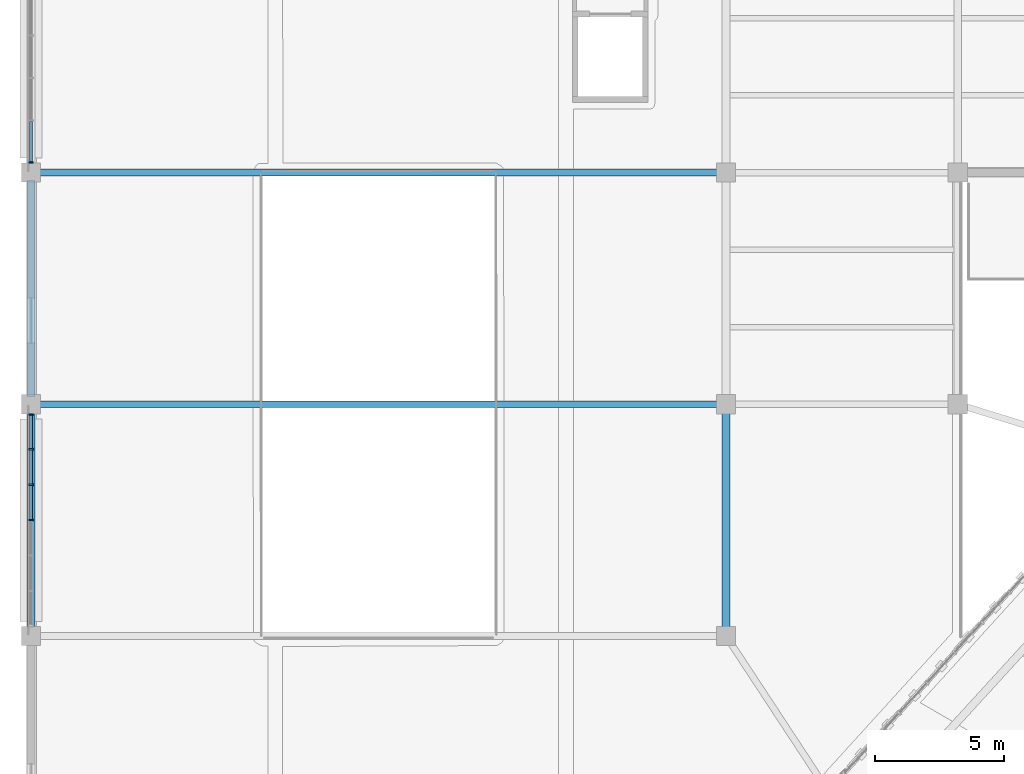
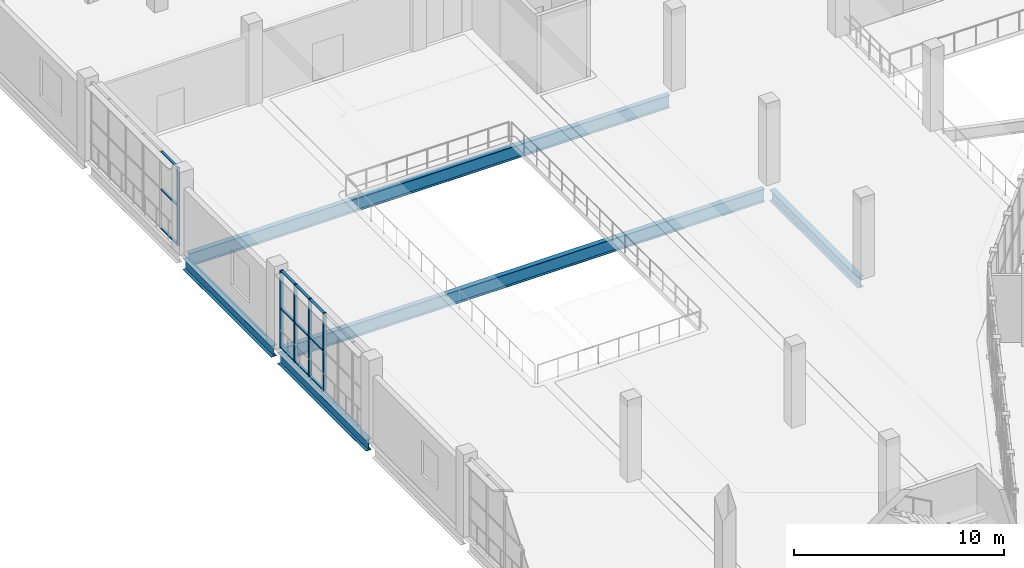
# One storey, part 47 of 179: 17 members, 5 beams, 2 elements without a shape of their own.
"""IFC4 building model written with IfcOpenShell, lengths in metres."""

from ifc_helpers import new_model, si_unit, direction, frame, origin, origin_2d, place, context, subcontext, project, spatial, rectangle, i_section, extrude, material, material_profile, profile_set, type_object, element, aggregate, save


model = new_model("IFC4")

# Units and contexts
model_context = context("Model", 3, precision=1e-05, world=origin(), true_north=direction((0.0, 1.0)))
body_context = subcontext(model_context, "Body", "Model", "MODEL_VIEW")
ifc_project = project(units=[si_unit("LENGTHUNIT", "METRE"), si_unit("AREAUNIT", "SQUARE_METRE"), si_unit("VOLUMEUNIT", "CUBIC_METRE"), si_unit("PLANEANGLEUNIT", "RADIAN"), si_unit("MASSUNIT", "GRAM", prefix="KILO")], contexts=[model_context])

# Site, building, storey
site_placement = place(None, origin())
site = spatial("IfcSite", under=ifc_project, at=site_placement, CompositionType="ELEMENT")
building_placement = place(site_placement, origin())
building = spatial("IfcBuilding", under=site, at=building_placement, Name="Zevraka Park Crest Stadium", CompositionType="ELEMENT")
storey_placement = place(building_placement, frame((0.0, 0.0, 10.199951171875)))
storey = spatial("IfcBuildingStorey", under=building, at=storey_placement, Name="L02", CompositionType="ELEMENT", Elevation=10.199951171875)

# Beams
ifc_material_1 = material(Name="Steel S355", Category="steel")
ifc_material_profile_1 = material_profile(ifc_material_1, i_section(OverallWidth=0.300048828125, OverallDepth=0.64990234375, WebThickness=0.01611328125, FlangeThickness=0.031005859375, at=origin_2d()), Name="HEB 650")
ifc_profile_set_1 = profile_set([ifc_material_profile_1], Name="Steel S355")
beam_type_1 = type_object("IfcBeamType", Name="BG07", PredefinedType="BEAM", material=ifc_profile_set_1)
for number, where, z_axis, x_axis, name in (
    (1, (0.0, 140.300048828125, -0.613037109375), (0.0, 1.0, 0.0), (-1.0, 0.0, 0.0), "Wing Girder BG07 L02-1/RS"),
    (2, (0.0, 149.300048828125, -0.613037109375), (0.0, 1.0, 0.0), (-1.0, 0.0, 0.0), "Wing Girder BG07 L02-1/ST"),
    (3, (27.0, 140.300048828125, -0.613037109375), (0.0, 1.0, 0.0), (-1.0, 0.0, 0.0), "Wing Girder BG07 L02-4/RS"),
):
    element("IfcBeam", number, at=place(storey_placement, frame(where, z_axis=z_axis, x_axis=x_axis)), inside=storey, type_object=beam_type_1, Name=name, PredefinedType="BEAM", context=body_context, shape_type="SweptSolid", body=[
        extrude(i_section(OverallWidth=0.300048828125, OverallDepth=0.64990234375, WebThickness=0.01611328125, FlangeThickness=0.031005859375, at=origin_2d()), origin(), (0.0, 0.0, 1.0), 8.39990234375),
    ])
ifc_material_2 = material(Name="Steel S355", Category="steel")
ifc_material_profile_2 = material_profile(ifc_material_2, i_section(OverallWidth=0.26708984375, OverallDepth=0.761962890625, WebThickness=0.014404296875, FlangeThickness=0.021484375, at=origin_2d()), Name="UKB 762x267x173")
ifc_profile_set_2 = profile_set([ifc_material_profile_2], Name="Steel S355")
beam_type_2 = type_object("IfcBeamType", Name="BG08", PredefinedType="BEAM", material=ifc_profile_set_2)
for number, where, z_axis, x_axis, name in (
    (4, (0.300048828125, 149.0, -0.6689453125), (1.0, 0.0, 0.0), (0.0, 1.0, 0.0), "Wing Girder BG08 L02-14/S"),
    (5, (0.300048828125, 158.0, -0.6689453125), (1.0, 0.0, 0.0), (0.0, 1.0, 0.0), "Wing Girder BG08 L02-14/T"),
):
    element("IfcBeam", number, at=place(storey_placement, frame(where, z_axis=z_axis, x_axis=x_axis)), inside=storey, type_object=beam_type_2, Name=name, PredefinedType="BEAM", context=body_context, shape_type="SweptSolid", body=[
        extrude(i_section(OverallWidth=0.26708984375, OverallDepth=0.761962890625, WebThickness=0.014404296875, FlangeThickness=0.021484375, at=origin_2d()), origin(), (0.0, 0.0, 1.0), 26.39990234375),
    ])

# Curtain wall, member
ifc_material_3 = material(Name="Anodised architectural aluminium and laminated safety glass", Category="aluminium")
curtain_wall_type_1 = type_object("IfcCurtainWallType", Name="CW28", PredefinedType="NOTDEFINED", material=ifc_material_3)
curtain_wall_1_placement = place(storey_placement, origin())
curtain_wall_1 = element("IfcCurtainWall", 6, at=curtain_wall_1_placement, inside=storey, type_object=curtain_wall_type_1, Name="Wing Curtain Wall CW28 L02-NW-W-6", PredefinedType="NOTDEFINED")
ifc_material_4 = material(Name="Anodised architectural aluminium", Category="aluminium")
ifc_material_profile_3 = material_profile(ifc_material_4, rectangle(XDim=0.159912109375, YDim=0.06005859375, at=origin_2d()), Name="ALU MULLION 160x60")
ifc_profile_set_3 = profile_set([ifc_material_profile_3], Name="Anodised architectural aluminium")
member_type_1 = type_object("IfcMemberType", Name="CM01", PredefinedType="MULLION", material=ifc_profile_set_3)
member_1_placement = place(storey_placement, frame((0.0, 158.39501953125, 0.0), z_axis=(0.0, 0.0, 1.0), x_axis=(-1.0, 0.0, 0.0)))
member_1 = element("IfcMember", 7, at=member_1_placement, type_object=member_type_1, Name="CW28 mullion 1", PredefinedType="MULLION", context=body_context, shape_type="SweptSolid", body=[
    extrude(rectangle(XDim=0.159912109375, YDim=0.06005859375, at=origin_2d()), origin(), (0.0, 0.0, 1.0), 4.5),
])

# Curtain wall, members
ifc_material_5 = material(Name="Anodised architectural aluminium and laminated safety glass", Category="aluminium")
curtain_wall_type_2 = type_object("IfcCurtainWallType", Name="CW26", PredefinedType="NOTDEFINED", material=ifc_material_5)
curtain_wall_2_placement = place(storey_placement, origin())
curtain_wall_2 = element("IfcCurtainWall", 8, at=curtain_wall_2_placement, inside=storey, type_object=curtain_wall_type_2, Name="Wing Curtain Wall CW26 L02-NW-W-4", PredefinedType="NOTDEFINED")
ifc_material_6 = material(Name="Anodised architectural aluminium", Category="aluminium")
ifc_material_profile_4 = material_profile(ifc_material_6, rectangle(XDim=0.179931640625, YDim=0.06494140625, at=origin_2d()), Name="ALU MULLION 180x65")
ifc_profile_set_4 = profile_set([ifc_material_profile_4], Name="Anodised architectural aluminium")
member_type_2 = type_object("IfcMemberType", Name="CM02", PredefinedType="MULLION", material=ifc_profile_set_4)
member_2_placement = place(storey_placement, frame((0.0, 144.5, 0.0), z_axis=(0.0, 0.0, 1.0), x_axis=(-1.0, 0.0, 0.0)))
member_2 = element("IfcMember", 9, at=member_2_placement, type_object=member_type_2, Name="CW26 mullion 4", PredefinedType="MULLION", context=body_context, shape_type="SweptSolid", body=[
    extrude(rectangle(XDim=0.179931640625, YDim=0.06494140625, at=origin_2d()), origin(), (0.0, 0.0, 1.0), 4.5),
])
member_3_placement = place(storey_placement, frame((0.0, 145.87841796875, 0.0), z_axis=(0.0, 0.0, 1.0), x_axis=(-1.0, 0.0, 0.0)))
member_3 = element("IfcMember", 10, at=member_3_placement, type_object=member_type_2, Name="CW26 mullion 5", PredefinedType="MULLION", context=body_context, shape_type="SweptSolid", body=[
    extrude(rectangle(XDim=0.179931640625, YDim=0.06494140625, at=origin_2d()), origin(), (0.0, 0.0, 1.0), 4.5),
])
member_4_placement = place(storey_placement, frame((0.0, 147.256591796875, 0.0), z_axis=(0.0, 0.0, 1.0), x_axis=(-1.0, 0.0, 0.0)))
member_4 = element("IfcMember", 11, at=member_4_placement, type_object=member_type_2, Name="CW26 mullion 6", PredefinedType="MULLION", context=body_context, shape_type="SweptSolid", body=[
    extrude(rectangle(XDim=0.179931640625, YDim=0.06494140625, at=origin_2d()), origin(), (0.0, 0.0, 1.0), 4.5),
])
member_5_placement = place(storey_placement, frame((0.0, 148.6025390625, 0.0), z_axis=(0.0, 0.0, 1.0), x_axis=(-1.0, 0.0, 0.0)))
member_5 = element("IfcMember", 12, at=member_5_placement, type_object=member_type_2, Name="CW26 mullion 7", PredefinedType="MULLION", context=body_context, shape_type="SweptSolid", body=[
    extrude(rectangle(XDim=0.179931640625, YDim=0.06494140625, at=origin_2d()), origin(), (0.0, 0.0, 1.0), 4.5),
])

# Member
ifc_material_7 = material(Name="Anodised architectural aluminium", Category="aluminium")
ifc_material_profile_5 = material_profile(ifc_material_7, rectangle(XDim=0.1201171875, YDim=0.06005859375, at=origin_2d()), Name="ALU TRANSOM 120x60")
ifc_profile_set_5 = profile_set([ifc_material_profile_5], Name="Anodised architectural aluminium")
member_type_3 = type_object("IfcMemberType", Name="CT01", PredefinedType="USERDEFINED", material=ifc_profile_set_5)
member_6_placement = place(storey_placement, frame((0.0, 158.425048828125, 0.030029296875), z_axis=(0.0, 1.0, 0.0), x_axis=(-1.0, 0.0, 0.0)))
member_6 = element("IfcMember", 13, at=member_6_placement, type_object=member_type_3, Name="CW28 transom 1.1", ObjectType="TRANSOM", PredefinedType="USERDEFINED", context=body_context, shape_type="SweptSolid", body=[
    extrude(rectangle(XDim=0.1201171875, YDim=0.06005859375, at=origin_2d()), origin(), (0.0, 0.0, 1.0), 1.56396484375),
])

member_7_placement = place(storey_placement, frame((0.0, 158.425048828125, 2.300048828125), z_axis=(0.0, 1.0, 0.0), x_axis=(-1.0, 0.0, 0.0)))
member_7 = element("IfcMember", 14, at=member_7_placement, type_object=member_type_3, Name="CW28 transom 1.2", ObjectType="TRANSOM", PredefinedType="USERDEFINED", context=body_context, shape_type="SweptSolid", body=[
    extrude(rectangle(XDim=0.1201171875, YDim=0.06005859375, at=origin_2d()), origin(), (0.0, 0.0, 1.0), 1.56396484375),
])

member_8_placement = place(storey_placement, frame((0.0, 158.425048828125, 4.469970703125), z_axis=(0.0, 1.0, 0.0), x_axis=(-1.0, 0.0, 0.0)))
member_8 = element("IfcMember", 15, at=member_8_placement, type_object=member_type_3, Name="CW28 transom 1.3", ObjectType="TRANSOM", PredefinedType="USERDEFINED", context=body_context, shape_type="SweptSolid", body=[
    extrude(rectangle(XDim=0.1201171875, YDim=0.06005859375, at=origin_2d()), origin(), (0.0, 0.0, 1.0), 1.56396484375),
])

aggregate(curtain_wall_1, [member_1, member_6, member_7, member_8])

ifc_material_8 = material(Name="Anodised architectural aluminium", Category="aluminium")
ifc_material_profile_6 = material_profile(ifc_material_8, rectangle(XDim=0.139892578125, YDim=0.06494140625, at=origin_2d()), Name="ALU TRANSOM 140x65")
ifc_profile_set_6 = profile_set([ifc_material_profile_6], Name="Anodised architectural aluminium")
member_type_4 = type_object("IfcMemberType", Name="CT02", PredefinedType="USERDEFINED", material=ifc_profile_set_6)
member_9_placement = place(storey_placement, frame((0.0, 144.532470703125, 0.032470703125), z_axis=(0.0, 1.0, 0.0), x_axis=(-1.0, 0.0, 0.0)))
member_9 = element("IfcMember", 16, at=member_9_placement, type_object=member_type_4, Name="CW26 transom 4.1", ObjectType="TRANSOM", PredefinedType="USERDEFINED", context=body_context, shape_type="SweptSolid", body=[
    extrude(rectangle(XDim=0.139892578125, YDim=0.06494140625, at=origin_2d()), origin(), (0.0, 0.0, 1.0), 1.3134765625),
])

member_10_placement = place(storey_placement, frame((0.0, 144.532470703125, 2.300048828125), z_axis=(0.0, 1.0, 0.0), x_axis=(-1.0, 0.0, 0.0)))
member_10 = element("IfcMember", 17, at=member_10_placement, type_object=member_type_4, Name="CW26 transom 4.2", ObjectType="TRANSOM", PredefinedType="USERDEFINED", context=body_context, shape_type="SweptSolid", body=[
    extrude(rectangle(XDim=0.139892578125, YDim=0.06494140625, at=origin_2d()), origin(), (0.0, 0.0, 1.0), 1.3134765625),
])

member_11_placement = place(storey_placement, frame((0.0, 144.532470703125, 4.467529296875), z_axis=(0.0, 1.0, 0.0), x_axis=(-1.0, 0.0, 0.0)))
member_11 = element("IfcMember", 18, at=member_11_placement, type_object=member_type_4, Name="CW26 transom 4.3", ObjectType="TRANSOM", PredefinedType="USERDEFINED", context=body_context, shape_type="SweptSolid", body=[
    extrude(rectangle(XDim=0.139892578125, YDim=0.06494140625, at=origin_2d()), origin(), (0.0, 0.0, 1.0), 1.3134765625),
])

member_12_placement = place(storey_placement, frame((0.0, 145.910888671875, 0.032470703125), z_axis=(0.0, 1.0, 0.0), x_axis=(-1.0, 0.0, 0.0)))
member_12 = element("IfcMember", 19, at=member_12_placement, type_object=member_type_4, Name="CW26 transom 5.1", ObjectType="TRANSOM", PredefinedType="USERDEFINED", context=body_context, shape_type="SweptSolid", body=[
    extrude(rectangle(XDim=0.139892578125, YDim=0.06494140625, at=origin_2d()), origin(), (0.0, 0.0, 1.0), 1.313232421875),
])

member_13_placement = place(storey_placement, frame((0.0, 145.910888671875, 2.300048828125), z_axis=(0.0, 1.0, 0.0), x_axis=(-1.0, 0.0, 0.0)))
member_13 = element("IfcMember", 20, at=member_13_placement, type_object=member_type_4, Name="CW26 transom 5.2", ObjectType="TRANSOM", PredefinedType="USERDEFINED", context=body_context, shape_type="SweptSolid", body=[
    extrude(rectangle(XDim=0.139892578125, YDim=0.06494140625, at=origin_2d()), origin(), (0.0, 0.0, 1.0), 1.313232421875),
])

member_14_placement = place(storey_placement, frame((0.0, 145.910888671875, 4.467529296875), z_axis=(0.0, 1.0, 0.0), x_axis=(-1.0, 0.0, 0.0)))
member_14 = element("IfcMember", 21, at=member_14_placement, type_object=member_type_4, Name="CW26 transom 5.3", ObjectType="TRANSOM", PredefinedType="USERDEFINED", context=body_context, shape_type="SweptSolid", body=[
    extrude(rectangle(XDim=0.139892578125, YDim=0.06494140625, at=origin_2d()), origin(), (0.0, 0.0, 1.0), 1.313232421875),
])

member_15_placement = place(storey_placement, frame((0.0, 147.2890625, 0.032470703125), z_axis=(0.0, 1.0, 0.0), x_axis=(-1.0, 0.0, 0.0)))
member_15 = element("IfcMember", 22, at=member_15_placement, type_object=member_type_4, Name="CW26 transom 6.1", ObjectType="TRANSOM", PredefinedType="USERDEFINED", context=body_context, shape_type="SweptSolid", body=[
    extrude(rectangle(XDim=0.139892578125, YDim=0.06494140625, at=origin_2d()), origin(), (0.0, 0.0, 1.0), 1.281005859375),
])

member_16_placement = place(storey_placement, frame((0.0, 147.2890625, 2.300048828125), z_axis=(0.0, 1.0, 0.0), x_axis=(-1.0, 0.0, 0.0)))
member_16 = element("IfcMember", 23, at=member_16_placement, type_object=member_type_4, Name="CW26 transom 6.2", ObjectType="TRANSOM", PredefinedType="USERDEFINED", context=body_context, shape_type="SweptSolid", body=[
    extrude(rectangle(XDim=0.139892578125, YDim=0.06494140625, at=origin_2d()), origin(), (0.0, 0.0, 1.0), 1.281005859375),
])

member_17_placement = place(storey_placement, frame((0.0, 147.2890625, 4.467529296875), z_axis=(0.0, 1.0, 0.0), x_axis=(-1.0, 0.0, 0.0)))
member_17 = element("IfcMember", 24, at=member_17_placement, type_object=member_type_4, Name="CW26 transom 6.3", ObjectType="TRANSOM", PredefinedType="USERDEFINED", context=body_context, shape_type="SweptSolid", body=[
    extrude(rectangle(XDim=0.139892578125, YDim=0.06494140625, at=origin_2d()), origin(), (0.0, 0.0, 1.0), 1.281005859375),
])

aggregate(curtain_wall_2, [member_2, member_3, member_4, member_5, member_9, member_10, member_11, member_12, member_13, member_14, member_15, member_16, member_17])

save(model, "model.ifc")
